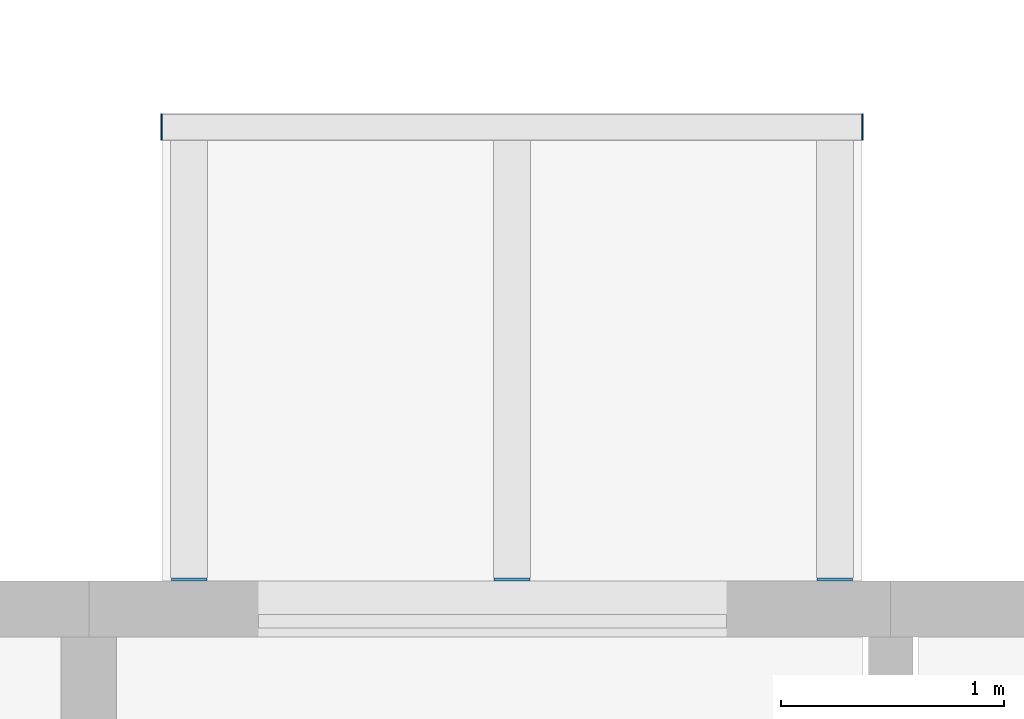
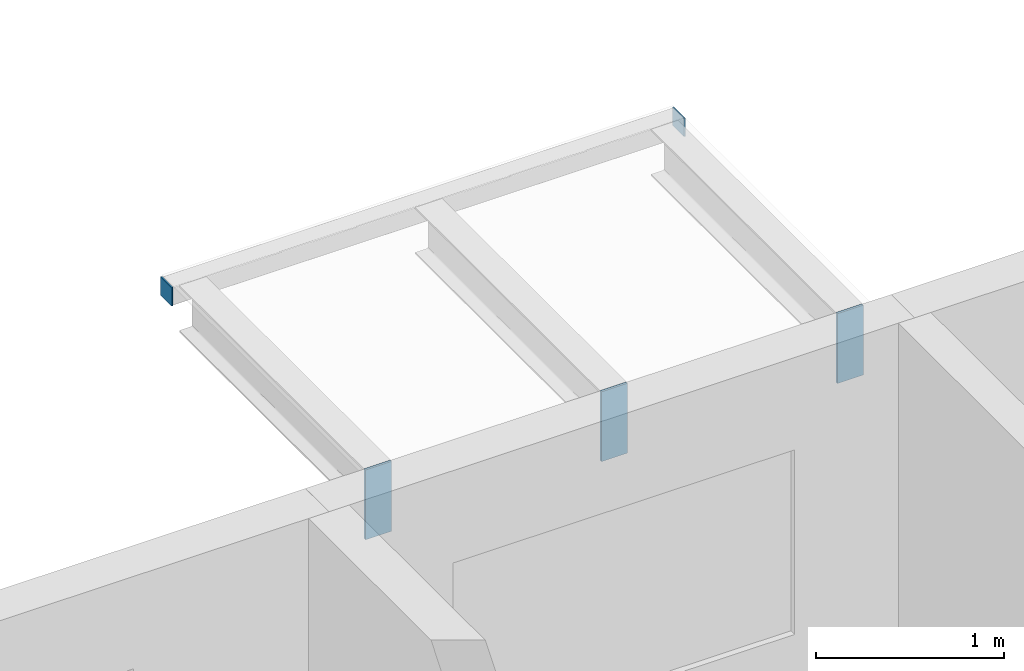
# One storey, part 93 of 122: 5 discrete accessories.
"""IFC4 building model written with IfcOpenShell, lengths in metres."""

from ifc_helpers import new_model, si_unit, direction, frame, origin, origin_2d, place, context, subcontext, project, spatial, rectangle, extrude, material, layer, layer_set, type_object, element, save


model = new_model("IFC4")

# Units and contexts
model_context = context("Model", 3, precision=1e-05, world=origin(), true_north=direction((0.0, 1.0)))
body_context = subcontext(model_context, "Body", "Model", "MODEL_VIEW")
ifc_project = project(units=[si_unit("LENGTHUNIT", "METRE"), si_unit("AREAUNIT", "SQUARE_METRE"), si_unit("VOLUMEUNIT", "CUBIC_METRE"), si_unit("PLANEANGLEUNIT", "RADIAN"), si_unit("MASSUNIT", "GRAM", prefix="KILO")], contexts=[model_context])

# Site, building, storey
site_placement = place(None, origin())
site = spatial("IfcSite", under=ifc_project, at=site_placement, CompositionType="ELEMENT")
building_placement = place(site_placement, origin())
building = spatial("IfcBuilding", under=site, at=building_placement, Name="Ridgestep Commons", CompositionType="ELEMENT")
storey_placement = place(building_placement, frame((0.0, 0.0, 3.0)))
storey = spatial("IfcBuildingStorey", under=building, at=storey_placement, Name="L01", CompositionType="ELEMENT", Elevation=3.0)

# Discrete accessories
ifc_material_1 = material(Name="Weathering steel S355J2W", Category="steel")
ifc_layer_1 = layer(ifc_material_1, 0.014892578125)
ifc_layer_set_1 = layer_set([ifc_layer_1], Name="Tray bracket plate 15")
discrete_accessory_type_1 = type_object("IfcDiscreteAccessoryType", Name="Tray bracket plate 15", PredefinedType="BRACKET", material=ifc_layer_set_1)
for number, where, z_axis, x_axis, name in (
    (1, (38.85009765625, 77.257568359375, 2.53662109375), (0.0, 0.0, 1.0), (1.0, 0.0, 0.0), "Tray bracket B2T2-02.1"),
    (2, (40.300048828125, 77.257568359375, 2.53662109375), (0.0, 0.0, 1.0), (1.0, 0.0, 0.0), "Tray bracket B2T2-02.2"),
    (3, (41.75, 77.257568359375, 2.53662109375), (0.0, 0.0, 1.0), (1.0, 0.0, 0.0), "Tray bracket B2T2-02.3"),
):
    element("IfcDiscreteAccessory", number, at=place(storey_placement, frame(where, z_axis=z_axis, x_axis=x_axis)), inside=storey, type_object=discrete_accessory_type_1, Name=name, PredefinedType="BRACKET", context=body_context, shape_type="SweptSolid", body=[
        extrude(rectangle(XDim=0.159912109375, YDim=0.014892578125, at=origin_2d()), origin(), (0.0, 0.0, 1.0), 0.453369140625),
    ])
ifc_material_2 = material(Name="Weathering steel S355J2W", Category="steel")
ifc_layer_2 = layer(ifc_material_2, 0.008056640625)
ifc_layer_set_2 = layer_set([ifc_layer_2], Name="Tray edge member end plate 120 x 120 x 8")
discrete_accessory_type_2 = type_object("IfcDiscreteAccessoryType", Name="Tray edge member end plate 120 x 120 x 8", PredefinedType="BRACKET", material=ifc_layer_set_2)
for number, where, z_axis, x_axis, name in (
    (4, (38.72607421875, 79.2900390625, 2.869873046875), (0.0, 0.0, 1.0), (1.0, 0.0, 0.0), "Tray edge member end plate B2T2-02 west"),
    (5, (41.8740234375, 79.2900390625, 2.869873046875), (0.0, 0.0, 1.0), (1.0, 0.0, 0.0), "Tray edge member end plate B2T2-02 east"),
):
    element("IfcDiscreteAccessory", number, at=place(storey_placement, frame(where, z_axis=z_axis, x_axis=x_axis)), inside=storey, type_object=discrete_accessory_type_2, Name=name, PredefinedType="BRACKET", context=body_context, shape_type="SweptSolid", body=[
        extrude(rectangle(XDim=0.008056640625, YDim=0.1201171875, at=origin_2d()), origin(), (0.0, 0.0, 1.0), 0.1201171875),
    ])

save(model, "model.ifc")
